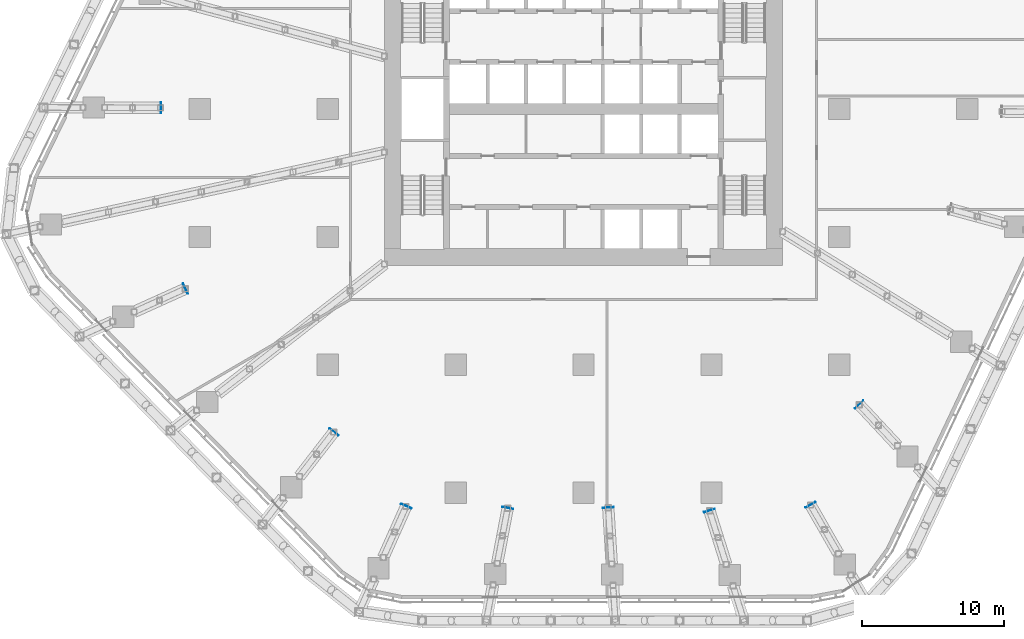
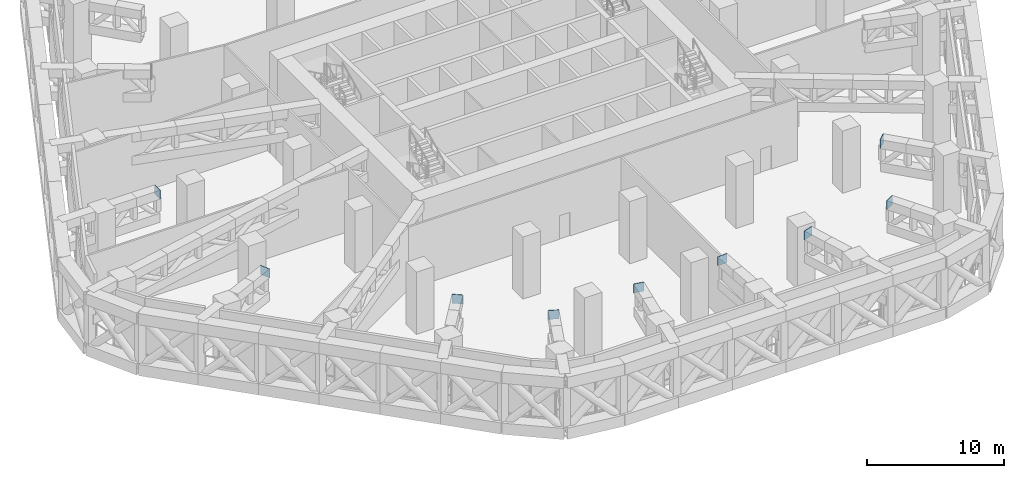
# One storey, part 21 of 38: 9 discrete accessories.
"""IFC4 building model written with IfcOpenShell, lengths in metres."""

from ifc_helpers import new_model, si_unit, direction, frame, origin, origin_2d, place, context, subcontext, project, spatial, rectangle, extrude, material, type_object, element, save


model = new_model("IFC4")

# Units and contexts
model_context = context("Model", 3, precision=1e-05, world=origin(), true_north=direction((0.0, 1.0)))
body_context = subcontext(model_context, "Body", "Model", "MODEL_VIEW")
ifc_project = project(units=[si_unit("LENGTHUNIT", "METRE"), si_unit("AREAUNIT", "SQUARE_METRE"), si_unit("VOLUMEUNIT", "CUBIC_METRE"), si_unit("PLANEANGLEUNIT", "RADIAN"), si_unit("MASSUNIT", "GRAM", prefix="KILO")], contexts=[model_context])

# Site, building, storey
site_placement = place(None, origin())
site = spatial("IfcSite", under=ifc_project, at=site_placement, CompositionType="ELEMENT")
building_placement = place(site_placement, origin())
building = spatial("IfcBuilding", under=site, at=building_placement, Name="Dongbaek Canopy Tower", CompositionType="ELEMENT")
storey_placement = place(building_placement, frame((0.0, 0.0, 89.199951171875)))
storey = spatial("IfcBuildingStorey", under=building, at=storey_placement, Name="L18", CompositionType="ELEMENT", Elevation=89.199951171875)

# Discrete accessories
ifc_material = material(Name="Steel S355 end plate", Category="steel")
discrete_accessory_type = type_object("IfcDiscreteAccessoryType", Name="Chord end plate EP 800x800x40", PredefinedType="BRACKET", material=ifc_material)
for number, where, z_axis, x_axis, name in (
    (1, (15.963623046875, -27.848876953125, 4.75), (0.0, 0.0, 1.0), (0.497316207591, -0.867569357266, 0.0), "End plate TR18-01"),
    (2, (8.8544921875, -28.251708984375, 4.75), (0.0, 0.0, 1.0), (0.299074101345, -0.954229889442, 0.0), "End plate TR18-02"),
    (3, (1.7353515625, -28.04052734375, 4.75), (0.0, 0.0, 1.0), (0.061769742114, -0.998090426244, 0.0), "End plate TR18-03"),
    (4, (-5.337646484375, -28.06689453125, 4.75), (0.0, 0.0, 1.0), (-0.186827528901, -0.98239272923, 0.0), "End plate TR18-04"),
    (5, (-12.479736328125, -27.938232421875, 4.75), (0.0, 0.0, 1.0), (-0.407852445573, -0.913047853423, 0.0), "End plate TR18-05"),
    (6, (-17.565185546875, -22.711669921875, 4.75), (0.0, 0.0, 1.0), (-0.611781102634, -0.791027106021, 0.0), "End plate TR18-06"),
    (7, (-28.013427734375, -12.6416015625, 4.75), (0.0, 0.0, 1.0), (-0.911488008216, -0.411326647421, 0.0), "End plate TR18-08"),
    (8, (-29.742919921875, 0.0888671875, 4.75), (0.0, 0.0, 1.0), (-0.99999553592, 0.002987999233, 0.0), "End plate TR18-10"),
    (9, (19.38525390625, -20.789306640625, 4.75), (0.0, 0.0, 1.0), (0.681975383572, -0.731375126869, 0.0), "End plate TR18-26"),
):
    element("IfcDiscreteAccessory", number, at=place(storey_placement, frame(where, z_axis=z_axis, x_axis=x_axis)), inside=storey, type_object=discrete_accessory_type, Name=name, PredefinedType="BRACKET", context=body_context, shape_type="SweptSolid", body=[
        extrude(rectangle(XDim=0.0400390625, YDim=0.800048828125, at=origin_2d()), origin(), (0.0, 0.0, 1.0), 0.800048828125),
    ])

save(model, "model.ifc")
